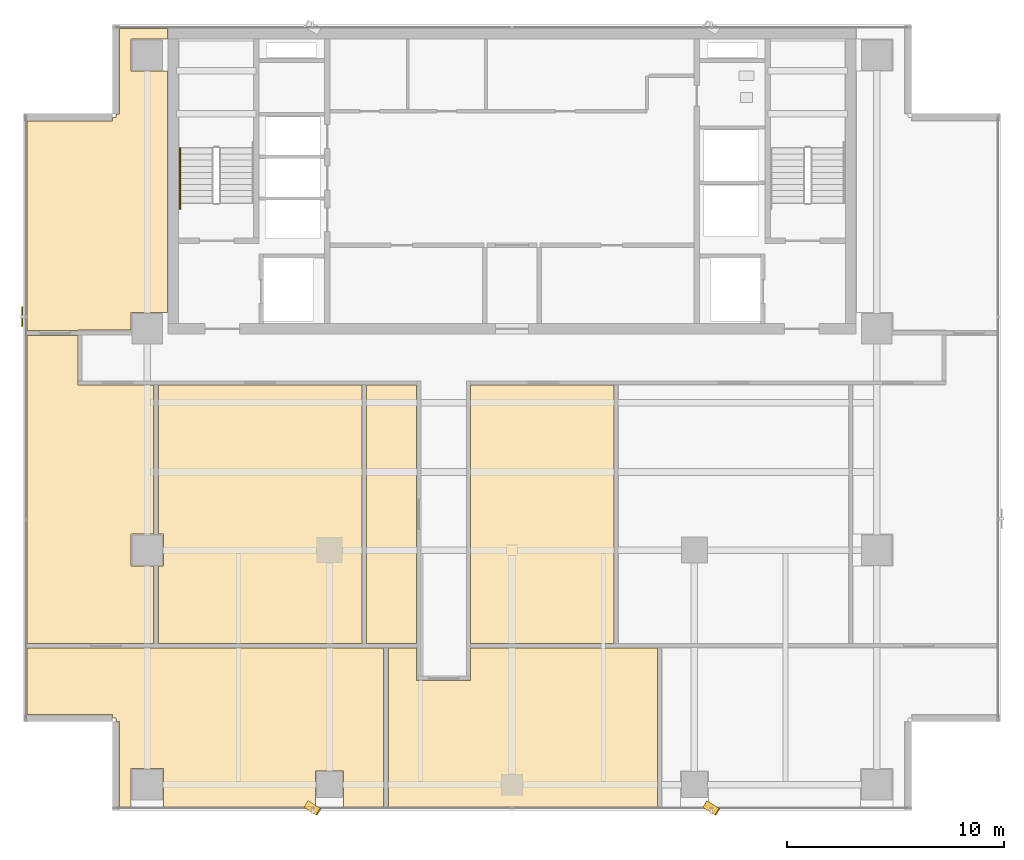
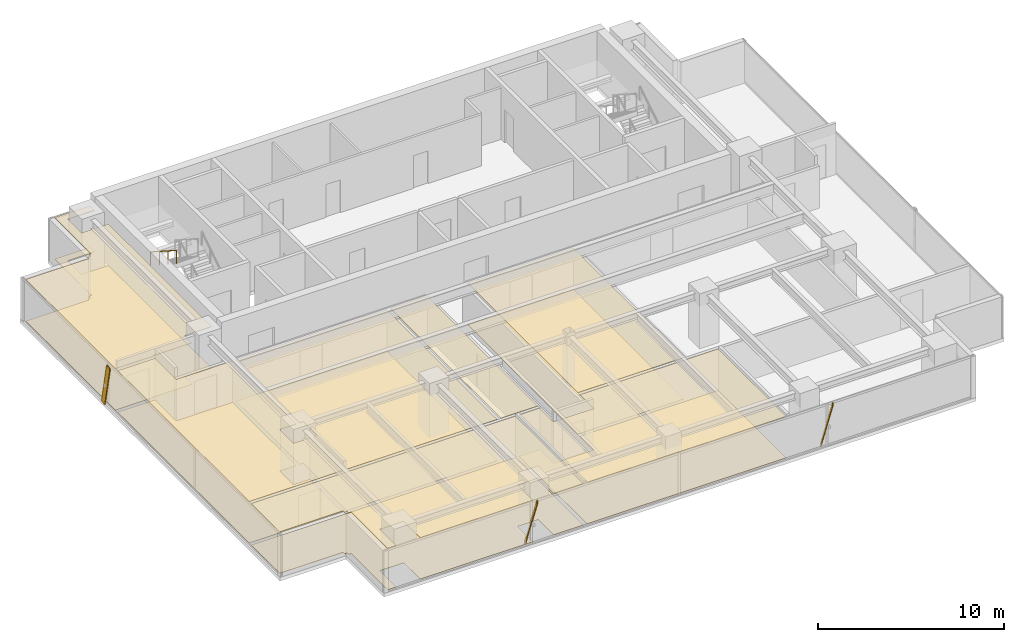
# One storey, part 22 of 26: 13 coverings, 3 shading devices, 1 railing.
"""IFC4 building model written with IfcOpenShell, lengths in metres."""

from ifc_helpers import new_model, si_unit, direction, frame, origin, origin_2d, place, context, subcontext, project, spatial, polyline, rectangle, outline, extrude, source, transform, mapped, material, layer, layer_set, material_profile, profile_set, type_object, element, save


model = new_model("IFC4")

# Units and contexts
model_context = context("Model", 3, precision=1e-05, world=origin(), true_north=direction((0.0, 1.0)))
body_context = subcontext(model_context, "Body", "Model", "MODEL_VIEW")
ifc_project = project(units=[si_unit("LENGTHUNIT", "METRE"), si_unit("AREAUNIT", "SQUARE_METRE"), si_unit("VOLUMEUNIT", "CUBIC_METRE"), si_unit("PLANEANGLEUNIT", "RADIAN"), si_unit("MASSUNIT", "GRAM", prefix="KILO")], contexts=[model_context])

# Site, building, storey
site_placement = place(None, origin())
site = spatial("IfcSite", under=ifc_project, at=site_placement, CompositionType="ELEMENT")
building_placement = place(site_placement, origin())
building = spatial("IfcBuilding", under=site, at=building_placement, Name="Sumidabori Civic Tower", CompositionType="ELEMENT")
storey_placement = place(building_placement, frame((0.0, 0.0, 264.800048828125)))
storey = spatial("IfcBuildingStorey", under=building, at=storey_placement, Name="L69", CompositionType="ELEMENT", Elevation=264.800048828125)

# Coverings
ifc_material_1 = material(Name="Acoustic Mineral Gypsum Ceiling Tile")
ifc_layer_1 = layer(ifc_material_1, 0.034912109375, Name="Acoustic Mineral Gypsum Ceiling Tile")
ifc_layer_set_1 = layer_set([ifc_layer_1], Name="Acoustic Mineral Gypsum Ceiling Tile")
covering_type_1 = type_object("IfcCoveringType", Name="CV-CEIL-AC1", PredefinedType="CEILING", material=ifc_layer_set_1)
covering_1_placement = place(storey_placement, frame((0.0, 0.0, 2.719970703125)))
element("IfcCovering", 1, at=covering_1_placement, inside=storey, type_object=covering_type_1, Name="Room Acoustic Ceiling L69-01", PredefinedType="CEILING", context=body_context, shape_type="SweptSolid", body=[
    extrude(outline(polyline([(-22.330078125, 10.110107421875), (-22.330078125, 19.77197265625), (-18.39208984375, 19.77197265625), (-18.39208984375, 19.929931640625), (-18.22998046875, 19.929931640625), (-18.22998046875, 20.092041015625), (-18.072021484375, 20.092041015625), (-18.072021484375, 24.030029296875), (-15.8779296875, 24.030029296875), (-15.8779296875, 23.5400390625), (-17.5400390625, 23.5400390625), (-17.5400390625, 22.06005859375), (-15.8779296875, 22.06005859375), (-15.8779296875, 10.93994140625), (-17.5400390625, 10.93994140625), (-17.5400390625, 10.14990234375), (-20.0, 10.14990234375), (-20.0, 10.110107421875), (-22.330078125, 10.110107421875)])), origin(), (0.0, 0.0, 1.0), 0.034912109375),
])
covering_2_placement = place(storey_placement, frame((0.0, 0.0, 2.719970703125)))
element("IfcCovering", 2, at=covering_2_placement, inside=storey, type_object=covering_type_1, Name="Room Acoustic Ceiling L69-03", PredefinedType="CEILING", context=body_context, shape_type="SweptSolid", body=[
    extrude(outline(polyline([(-20.0, 7.60009765625), (-16.510009765625, 7.60009765625), (-16.510009765625, 0.739990234375), (-17.5400390625, 0.739990234375), (-17.5400390625, -0.739990234375), (-16.510009765625, -0.739990234375), (-16.510009765625, -4.2900390625), (-22.330078125, -4.2900390625), (-22.330078125, 9.889892578125), (-20.0, 9.889892578125), (-20.0, 7.60009765625)])), origin(), (0.0, 0.0, 1.0), 0.034912109375),
])
covering_3_placement = place(storey_placement, frame((0.0, 0.0, 2.719970703125)))
element("IfcCovering", 3, at=covering_3_placement, inside=storey, type_object=covering_type_1, Name="Room Acoustic Ceiling L69-05", PredefinedType="CEILING", context=body_context, shape_type="SweptSolid", body=[
    extrude(outline(polyline([(-16.2900390625, -0.739990234375), (-16.06005859375, -0.739990234375), (-16.06005859375, 0.739990234375), (-16.2900390625, 0.739990234375), (-16.2900390625, 7.60009765625), (-6.909912109375, 7.60009765625), (-6.909912109375, -4.2900390625), (-16.2900390625, -4.2900390625), (-16.2900390625, -0.739990234375)])), origin(), (0.0, 0.0, 1.0), 0.034912109375),
])
covering_4_placement = place(storey_placement, frame((0.0, 0.0, 2.719970703125)))
element("IfcCovering", 4, at=covering_4_placement, inside=storey, type_object=covering_type_1, Name="Room Acoustic Ceiling L69-06", PredefinedType="CEILING", context=body_context, shape_type="SweptSolid", body=[
    extrude(outline(polyline([(-6.68994140625, 7.60009765625), (-4.39990234375, 7.60009765625), (-4.39990234375, -4.2900390625), (-6.68994140625, -4.2900390625), (-6.68994140625, 7.60009765625)])), origin(), (0.0, 0.0, 1.0), 0.034912109375),
])
covering_5_placement = place(storey_placement, frame((0.0, 0.0, 2.719970703125)))
element("IfcCovering", 5, at=covering_5_placement, inside=storey, type_object=covering_type_1, Name="Room Acoustic Ceiling L69-07", PredefinedType="CEILING", context=body_context, shape_type="SweptSolid", body=[
    extrude(outline(polyline([(-1.89990234375, 7.60009765625), (4.68994140625, 7.60009765625), (4.68994140625, -4.2900390625), (-1.89990234375, -4.2900390625), (-1.89990234375, 7.60009765625)])), origin(), (0.0, 0.0, 1.0), 0.034912109375),
])
covering_6_placement = place(storey_placement, frame((0.0, 0.0, 2.719970703125)))
element("IfcCovering", 6, at=covering_6_placement, inside=storey, type_object=covering_type_1, Name="Room Acoustic Ceiling L69-09", PredefinedType="CEILING", context=body_context, shape_type="SweptSolid", body=[
    extrude(outline(polyline([(-22.330078125, -7.572021484375), (-22.330078125, -4.510009765625), (-5.909912109375, -4.510009765625), (-5.909912109375, -11.830078125), (-7.760009765625, -11.830078125), (-7.760009765625, -10.159912109375), (-9.0400390625, -10.159912109375), (-9.0400390625, -11.830078125), (-16.06005859375, -11.830078125), (-16.06005859375, -10.06005859375), (-17.5400390625, -10.06005859375), (-17.5400390625, -11.830078125), (-18.072021484375, -11.830078125), (-18.072021484375, -7.89208984375), (-18.22998046875, -7.89208984375), (-18.22998046875, -7.72998046875), (-18.39208984375, -7.72998046875), (-18.39208984375, -7.572021484375), (-22.330078125, -7.572021484375)])), origin(), (0.0, 0.0, 1.0), 0.034912109375),
])
covering_7_placement = place(storey_placement, frame((0.0, 0.0, 2.719970703125)))
element("IfcCovering", 7, at=covering_7_placement, inside=storey, type_object=covering_type_1, Name="Room Acoustic Ceiling L69-11", PredefinedType="CEILING", context=body_context, shape_type="SweptSolid", body=[
    extrude(outline(polyline([(-4.39990234375, -6.0), (-1.89990234375, -6.0), (-1.89990234375, -5.797607421875), (-1.89990234375, -5.794921875), (-1.89990234375, -4.510009765625), (6.68994140625, -4.510009765625), (6.68994140625, -11.830078125), (-5.68994140625, -11.830078125), (-5.68994140625, -4.510009765625), (-4.39990234375, -4.510009765625), (-4.39990234375, -6.0)])), origin(), (0.0, 0.0, 1.0), 0.034912109375),
])
ifc_material_2 = material(Name="Honed Terrazzo Tile Flooring")
ifc_layer_2 = layer(ifc_material_2, 0.030029296875, Name="Honed Terrazzo Tile Flooring")
ifc_layer_set_2 = layer_set([ifc_layer_2], Name="Honed Terrazzo Tile Flooring")
covering_type_2 = type_object("IfcCoveringType", Name="CV-FLR-TER", PredefinedType="FLOORING", material=ifc_layer_set_2)
covering_8_placement = place(storey_placement, origin())
element("IfcCovering", 8, at=covering_8_placement, inside=storey, type_object=covering_type_2, Name="Room Terrazzo Floor L69-01", PredefinedType="FLOORING", context=body_context, shape_type="SweptSolid", body=[
    extrude(outline(polyline([(-22.330078125, 10.110107421875), (-22.330078125, 19.77197265625), (-18.39208984375, 19.77197265625), (-18.39208984375, 19.929931640625), (-18.22998046875, 19.929931640625), (-18.22998046875, 20.092041015625), (-18.072021484375, 20.092041015625), (-18.072021484375, 24.030029296875), (-15.8779296875, 24.030029296875), (-15.8779296875, 23.5400390625), (-17.5400390625, 23.5400390625), (-17.5400390625, 22.06005859375), (-15.8779296875, 22.06005859375), (-15.8779296875, 10.93994140625), (-17.5400390625, 10.93994140625), (-17.5400390625, 10.14990234375), (-20.0, 10.14990234375), (-20.0, 10.110107421875), (-22.330078125, 10.110107421875)])), origin(), (0.0, 0.0, 1.0), 0.030029296875),
])
covering_9_placement = place(storey_placement, origin())
element("IfcCovering", 9, at=covering_9_placement, inside=storey, type_object=covering_type_2, Name="Room Terrazzo Floor L69-03", PredefinedType="FLOORING", context=body_context, shape_type="SweptSolid", body=[
    extrude(outline(polyline([(-20.0, 7.60009765625), (-16.510009765625, 7.60009765625), (-16.510009765625, 0.739990234375), (-17.5400390625, 0.739990234375), (-17.5400390625, -0.739990234375), (-16.510009765625, -0.739990234375), (-16.510009765625, -4.2900390625), (-22.330078125, -4.2900390625), (-22.330078125, 9.889892578125), (-20.0, 9.889892578125), (-20.0, 7.60009765625)])), origin(), (0.0, 0.0, 1.0), 0.030029296875),
])
covering_10_placement = place(storey_placement, origin())
element("IfcCovering", 10, at=covering_10_placement, inside=storey, type_object=covering_type_2, Name="Room Terrazzo Floor L69-05", PredefinedType="FLOORING", context=body_context, shape_type="SweptSolid", body=[
    extrude(outline(polyline([(-16.2900390625, -0.739990234375), (-16.06005859375, -0.739990234375), (-16.06005859375, 0.739990234375), (-16.2900390625, 0.739990234375), (-16.2900390625, 7.60009765625), (-6.909912109375, 7.60009765625), (-6.909912109375, -4.2900390625), (-16.2900390625, -4.2900390625), (-16.2900390625, -0.739990234375)])), origin(), (0.0, 0.0, 1.0), 0.030029296875),
])
covering_11_placement = place(storey_placement, origin())
element("IfcCovering", 11, at=covering_11_placement, inside=storey, type_object=covering_type_2, Name="Room Terrazzo Floor L69-07", PredefinedType="FLOORING", context=body_context, shape_type="SweptSolid", body=[
    extrude(outline(polyline([(-1.89990234375, 7.60009765625), (4.68994140625, 7.60009765625), (4.68994140625, -4.2900390625), (-1.89990234375, -4.2900390625), (-1.89990234375, 7.60009765625)])), origin(), (0.0, 0.0, 1.0), 0.030029296875),
])
covering_12_placement = place(storey_placement, origin())
element("IfcCovering", 12, at=covering_12_placement, inside=storey, type_object=covering_type_2, Name="Room Terrazzo Floor L69-09", PredefinedType="FLOORING", context=body_context, shape_type="SweptSolid", body=[
    extrude(outline(polyline([(-22.330078125, -7.572021484375), (-22.330078125, -4.510009765625), (-5.909912109375, -4.510009765625), (-5.909912109375, -11.830078125), (-7.760009765625, -11.830078125), (-7.760009765625, -10.159912109375), (-9.0400390625, -10.159912109375), (-9.0400390625, -11.830078125), (-16.06005859375, -11.830078125), (-16.06005859375, -10.06005859375), (-17.5400390625, -10.06005859375), (-17.5400390625, -11.830078125), (-18.072021484375, -11.830078125), (-18.072021484375, -7.89208984375), (-18.22998046875, -7.89208984375), (-18.22998046875, -7.72998046875), (-18.39208984375, -7.72998046875), (-18.39208984375, -7.572021484375), (-22.330078125, -7.572021484375)])), origin(), (0.0, 0.0, 1.0), 0.030029296875),
])
covering_13_placement = place(storey_placement, origin())
element("IfcCovering", 13, at=covering_13_placement, inside=storey, type_object=covering_type_2, Name="Room Terrazzo Floor L69-11", PredefinedType="FLOORING", context=body_context, shape_type="SweptSolid", body=[
    extrude(outline(polyline([(-4.39990234375, -6.0), (-1.89990234375, -6.0), (-1.89990234375, -5.797607421875), (-1.89990234375, -5.794921875), (-1.89990234375, -4.510009765625), (6.68994140625, -4.510009765625), (6.68994140625, -11.830078125), (-5.68994140625, -11.830078125), (-5.68994140625, -4.510009765625), (-4.39990234375, -4.510009765625), (-4.39990234375, -6.0)])), origin(), (0.0, 0.0, 1.0), 0.030029296875),
])

# Railing
ifc_material_3 = material(Name="Stainless Steel Hairline Finish", Category="steel")
railing_type = type_object("IfcRailingType", Name="RL-HANDRAIL", PredefinedType="HANDRAIL", material=ifc_material_3)
railing_placement = place(storey_placement, frame((-15.2900390625, 18.52001953125, 1.97998046875)))
element("IfcRailing", 14, at=railing_placement, inside=storey, type_object=railing_type, Name="L69 ST-1 stair handrail 2", PredefinedType="HANDRAIL", context=body_context, shape_type="SweptSolid", body=[
    extrude(rectangle(XDim=0.048095703125, YDim=0.048095703125, at=origin_2d()), frame((0.0, 0.0, 0.8759765625), z_axis=(0.0, -0.840675598268, 0.541539046124), x_axis=(1.0, 0.0, 0.0)), (0.0, 0.0, 1.0), 3.330810546875),
    extrude(rectangle(XDim=0.0419921875, YDim=0.0419921875, at=origin_2d()), origin(), (0.0, 0.0, 1.0), 0.851806640625),
    extrude(rectangle(XDim=0.0419921875, YDim=0.0419921875, at=origin_2d()), frame((0.0, -0.933349609375, 0.601318359375)), (0.0, 0.0, 1.0), 0.851806640625),
    extrude(rectangle(XDim=0.0419921875, YDim=0.0419921875, at=origin_2d()), frame((0.0, -1.86669921875, 1.202392578125)), (0.0, 0.0, 1.0), 0.851806640625),
    extrude(rectangle(XDim=0.0419921875, YDim=0.0419921875, at=origin_2d()), frame((0.0, -2.800048828125, 1.8037109375)), (0.0, 0.0, 1.0), 0.851806640625),
])

# Shading devices
ifc_material_4 = material(Name="Anodised Bronze Aluminium AW-6063-T6", Category="aluminium")
ifc_material_profile = material_profile(ifc_material_4, rectangle(XDim=0.054931640625, YDim=0.360107421875, at=origin_2d()), Name="BRONZE FIN 360x55")
ifc_profile_set = profile_set([ifc_material_profile], Name="Anodised Bronze Aluminium AW-6063-T6")
shading_device_type = type_object("IfcShadingDeviceType", Name="SH-FIN-360", PredefinedType="USERDEFINED", material=ifc_profile_set)
shared_shape_1 = source(origin(), body_context, "Body", "SweptSolid", [
    extrude(rectangle(XDim=0.054931640625, YDim=0.360107421875, at=origin_2d()), origin(), (0.0, 0.0, 1.0), 2.7685546875),
])
for number, where, z_axis, x_axis, name in (
    (15, (-9.465087890625, -11.7099609375, 0.02001953125), (0.202289930374, -0.122837782481, 0.971591304646), (0.830469701518, -0.504291322674, -0.236665030656), "Bronze Anodised Diagonal Fin L69-01"),
    (16, (8.905029296875, -11.7099609375, 0.02001953125), (0.202289930374, -0.122837782481, 0.971591304646), (0.830469701518, -0.504291322674, -0.236665030656), "Bronze Anodised Diagonal Fin L69-03"),
):
    element("IfcShadingDevice", number, at=place(storey_placement, frame(where, z_axis=z_axis, x_axis=x_axis)), inside=storey, type_object=shading_device_type, Name=name, ObjectType="FIN", PredefinedType="USERDEFINED", context=body_context, shape_type="MappedRepresentation", body=[
        mapped(shared_shape_1, transform((0.0, 0.0, 0.0), x_axis=(1.0, 0.0, 0.0), y_axis=(0.0, 1.0, 0.0), z_axis=(0.0, 0.0, 1.0), scale=1.0)),
    ])
shared_shape_2 = source(origin(), body_context, "Body", "SweptSolid", [
    extrude(rectangle(XDim=0.054931640625, YDim=0.360107421875, at=origin_2d()), origin(), (0.0, 0.0, 1.0), 2.74755859375),
])
shading_device_placement = place(storey_placement, frame((-22.550048828125, 11.03662109375, 0.02001953125), z_axis=(0.0, -0.203748445037, 0.979023274057), x_axis=(-1.0, 0.0, 0.0)))
element("IfcShadingDevice", 17, at=shading_device_placement, inside=storey, type_object=shading_device_type, Name="Bronze Anodised Diagonal Fin L69-01", ObjectType="FIN", PredefinedType="USERDEFINED", context=body_context, shape_type="MappedRepresentation", body=[
    mapped(shared_shape_2, transform((0.0, 0.0, 0.0), x_axis=(1.0, 0.0, 0.0), y_axis=(0.0, 1.0, 0.0), z_axis=(0.0, 0.0, 1.0), scale=1.0)),
])

save(model, "model.ifc")
